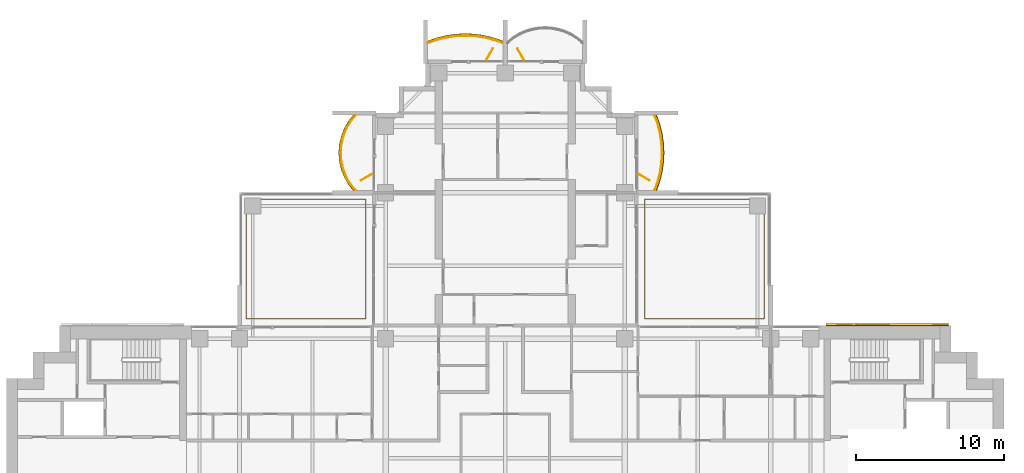
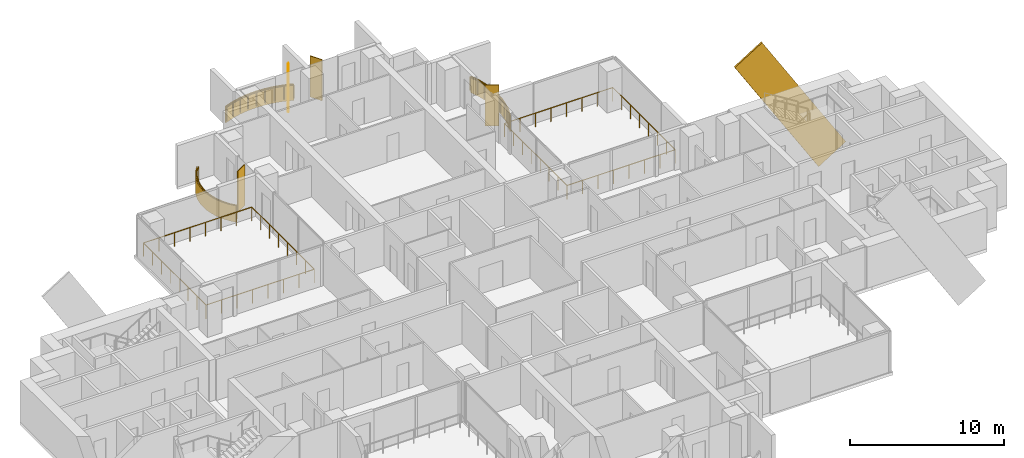
# One storey, part 18 of 19: 5 railings, 4 coverings, 4 shading devices.
"""IFC4 building model written with IfcOpenShell, lengths in metres."""

import ifcopenshell
import ifcopenshell.guid

model = None  # the IFC model being written
_history = None  # IfcOwnerHistory: only IFC2X3 demands one
_inside = {}  # id of a spatial element -> (the spatial element, [elements in it])
_under = {}  # id of a project, library or spatial element -> (it, [spatial elements below it])
_declared = {}  # id of a project -> (the project, [libraries it declares])
_typed = {}  # id of a type object -> (the type object, [elements of that type])
_made_of = {}  # id of a material, layer set ... -> (it, [elements and type objects made of it])


def new_model(schema):
    """Start an empty IFC model of exactly this schema.

    Asked for "IFC4X3", IfcOpenShell would pick the latest addendum, in which some entities
    have other attributes; the version numbers below select the first issue.
    IFC2X3 requires an IfcOwnerHistory on every rooted entity: one is made here for all.
    """
    global model, _history
    if schema == "IFC4X3":
        model = ifcopenshell.file(schema_version=(4, 3, 0, 0))
    else:
        model = ifcopenshell.file(schema=schema)
    _inside.clear()
    _under.clear()
    _declared.clear()
    _typed.clear()
    _made_of.clear()
    _history = None
    if model.schema == "IFC2X3":
        org = make("IfcOrganization", Name="unknown")
        user = make(
            "IfcPersonAndOrganization",
            ThePerson=make("IfcPerson", FamilyName="unknown"),
            TheOrganization=org,
        )
        app = make(
            "IfcApplication",
            ApplicationDeveloper=org,
            Version="unknown",
            ApplicationFullName="unknown",
            ApplicationIdentifier="unknown",
        )
        _history = make(
            "IfcOwnerHistory",
            OwningUser=user,
            OwningApplication=app,
            ChangeAction="ADDED",
            CreationDate=0,
        )
    return model


def make(cls, **values):
    """One entity of the class cls with the attributes given. An attribute that is None is left unset."""
    return model.create_entity(
        cls, **{name: value for name, value in values.items() if value is not None}
    )


def rooted(cls, **values):
    """An entity with a GlobalId (a new one), such as an element, a storey or a relation."""
    return make(cls, GlobalId=ifcopenshell.guid.new(), OwnerHistory=_history, **values)


def si_unit(unit_type, name, prefix=None):
    """IfcSIUnit, for example si_unit("LENGTHUNIT", "METRE", prefix="MILLI")."""
    return make("IfcSIUnit", UnitType=unit_type, Prefix=prefix, Name=name)


def assignment(units):
    """IfcUnitAssignment: the units of a project."""
    return None if units is None else make("IfcUnitAssignment", Units=units)


def point(xyz):
    """IfcCartesianPoint."""
    return None if xyz is None else make("IfcCartesianPoint", Coordinates=xyz)


def direction(xyz):
    """IfcDirection."""
    return None if xyz is None else make("IfcDirection", DirectionRatios=xyz)


def frame(location, z_axis=None, x_axis=None):
    """IfcAxis2Placement3D, a coordinate frame: its origin and axes. An axis left out is left unset."""
    return make(
        "IfcAxis2Placement3D",
        Location=point(location),
        Axis=direction(z_axis),
        RefDirection=direction(x_axis),
    )


def frame_2d(location, x_axis=None):
    """IfcAxis2Placement2D, a coordinate frame in the plane: its origin and x axis."""
    return make(
        "IfcAxis2Placement2D", Location=point(location), RefDirection=direction(x_axis)
    )


def origin():
    """The frame at (0, 0, 0) with its axes left unset."""
    return frame((0.0, 0.0, 0.0))


def origin_2d():
    """The frame at (0, 0) in the plane with its x axis left unset."""
    return frame_2d((0.0, 0.0))


def place(relative_to, where):
    """IfcLocalPlacement: puts the frame where relative to a parent placement (None: the world)."""
    return make(
        "IfcLocalPlacement", PlacementRelTo=relative_to, RelativePlacement=where
    )


def context(
    kind, dimensions, precision=None, world=None, true_north=None, identifier=None
):
    """IfcGeometricRepresentationContext, for example the 3D "Model" context."""
    return make(
        "IfcGeometricRepresentationContext",
        ContextIdentifier=identifier,
        ContextType=kind,
        CoordinateSpaceDimension=dimensions,
        Precision=precision,
        WorldCoordinateSystem=world,
        TrueNorth=true_north,
    )


def subcontext(parent, identifier, kind, view, scale=None):
    """IfcGeometricRepresentationSubContext, for example "Body" below "Model"."""
    return make(
        "IfcGeometricRepresentationSubContext",
        ContextIdentifier=identifier,
        ContextType=kind,
        ParentContext=parent,
        TargetScale=scale,
        TargetView=view,
    )


def project(units=None, contexts=None):
    """IfcProject with its units and contexts."""
    return rooted(
        "IfcProject",
        Name="project",
        RepresentationContexts=contexts,
        UnitsInContext=assignment(units),
    )


def spatial(cls, under=None, at=None, **own):
    """A site, building, storey or space (cls), placed at a placement, below another one or the project."""
    s = rooted(cls, ObjectPlacement=at, **own)
    if under is not None:
        _under.setdefault(under.id(), (under, []))[1].append(s)
    return s


def polyline(points):
    """IfcPolyline through the points."""
    return make("IfcPolyline", Points=[point(p) for p in points])


def profile(cls, at=None, kind="AREA", **sizes):
    """A parametric profile (cls). Its sizes go by their IFC names, for example OverallWidth=200.0."""
    return make(cls, ProfileType=kind, Position=at, **sizes)


def rectangle(**sizes):
    """IfcRectangleProfileDef."""
    return profile("IfcRectangleProfileDef", **sizes)


def outline(outer, holes=None, kind="AREA"):
    """IfcArbitraryClosedProfileDef: a profile drawn as a closed curve; with holes, ...WithVoids."""
    if holes is None:
        return make("IfcArbitraryClosedProfileDef", ProfileType=kind, OuterCurve=outer)
    return make(
        "IfcArbitraryProfileDefWithVoids",
        ProfileType=kind,
        OuterCurve=outer,
        InnerCurves=holes,
    )


def extrude(swept, where, along, depth):
    """IfcExtrudedAreaSolid: the profile swept, set in the frame where, extruded along a direction by depth."""
    return make(
        "IfcExtrudedAreaSolid",
        SweptArea=swept,
        Position=where,
        ExtrudedDirection=direction(along),
        Depth=depth,
    )


def shape(context_of_items, identifier, shape_type, items):
    """IfcShapeRepresentation: the items that make up one representation, for example the "Body"."""
    return make(
        "IfcShapeRepresentation",
        ContextOfItems=context_of_items,
        RepresentationIdentifier=identifier,
        RepresentationType=shape_type,
        Items=items,
    )


def material(Name=None, Category=None):
    """IfcMaterial."""
    return make("IfcMaterial", Name=Name, Category=Category)


def layer(
    of_material, thickness, ventilated=None, Name=None, Category=None, Priority=None
):
    """IfcMaterialLayer: one layer of a wall or slab, of a material (None: an air gap)."""
    return make(
        "IfcMaterialLayer",
        Material=of_material,
        LayerThickness=thickness,
        IsVentilated=ventilated,
        Name=Name,
        Category=Category,
        Priority=Priority,
    )


def layer_set(layers, Name=None):
    """IfcMaterialLayerSet."""
    return make("IfcMaterialLayerSet", MaterialLayers=layers, LayerSetName=Name)


def material_profile(
    of_material, cross_section, Name=None, Category=None, Priority=None
):
    """IfcMaterialProfile: a cross section and its material."""
    return make(
        "IfcMaterialProfile",
        Name=Name,
        Material=of_material,
        Profile=cross_section,
        Priority=Priority,
        Category=Category,
    )


def profile_set(profiles, Name=None, composite=None):
    """IfcMaterialProfileSet."""
    return make(
        "IfcMaterialProfileSet",
        Name=Name,
        MaterialProfiles=profiles,
        CompositeProfile=composite,
    )


def made_of(thing, what):
    """Note that an element or type object is made of a material, layer set ...; save() writes the relation."""
    if what is not None:
        _made_of.setdefault(what.id(), (what, []))[1].append(thing)
    return thing


def type_object(cls, material=None, **own):
    """A type object (cls), such as IfcWallType, which elements share."""
    return made_of(rooted(cls, **own), material)


def element(
    cls,
    number,
    at=None,
    inside=None,
    cuts=None,
    type_object=None,
    material=None,
    context=None,
    identifier="Body",
    shape_type=None,
    held_by="IfcProductDefinitionShape",
    body=None,
    shapes=None,
    **own,
):
    """One element of the class cls, such as IfcWall. Its Tag is "e" and its number.

    at: its placement. inside: the storey or other place that contains it. cuts: it is an
    opening in that element (IfcRelVoidsElement). A single representation is given by context,
    identifier, shape_type and body (its items); several are given by shapes. held_by: the class
    of the entity that holds the representations. save() writes the other relations.
    """
    e = rooted(cls, Tag="e%d" % number, ObjectPlacement=at, **own)
    if body is not None:
        shapes = [shape(context, identifier, shape_type, body)]
    if shapes is not None:
        e.Representation = make(held_by, Representations=shapes)
    if inside is not None:
        _inside.setdefault(inside.id(), (inside, []))[1].append(e)
    if cuts is not None:
        rooted(
            "IfcRelVoidsElement", RelatingBuildingElement=cuts, RelatedOpeningElement=e
        )
    if type_object is not None:
        _typed.setdefault(type_object.id(), (type_object, []))[1].append(e)
    return made_of(e, material)


def aggregate(whole, parts):
    """IfcRelAggregates: a whole, such as a stair, and the parts it consists of."""
    return rooted("IfcRelAggregates", RelatingObject=whole, RelatedObjects=parts)


def save(model, path):
    """Write the relations noted so far, then the file.

    IfcRelAggregates (storeys below a building ...), IfcRelContainedInSpatialStructure (elements
    in a storey), IfcRelDefinesByType, IfcRelAssociatesMaterial and IfcRelDeclares: one each for
    every whole, place, type object, material and project.
    """
    for whole, parts in _under.values():
        aggregate(whole, parts)
    for where, things in _inside.values():
        rooted(
            "IfcRelContainedInSpatialStructure",
            RelatedElements=things,
            RelatingStructure=where,
        )
    for kind, things in _typed.values():
        rooted("IfcRelDefinesByType", RelatedObjects=things, RelatingType=kind)
    for what, things in _made_of.values():
        rooted("IfcRelAssociatesMaterial", RelatedObjects=things, RelatingMaterial=what)
    for by, libraries in _declared.values():
        rooted("IfcRelDeclares", RelatingContext=by, RelatedDefinitions=libraries)
    model.write(path)


model = new_model("IFC4")

# Units and contexts
model_context = context("Model", 3, precision=1e-05, world=origin(), true_north=direction((0.0, 1.0)))
body_context = subcontext(model_context, "Body", "Model", "MODEL_VIEW")
ifc_project = project(units=[si_unit("LENGTHUNIT", "METRE"), si_unit("AREAUNIT", "SQUARE_METRE"), si_unit("VOLUMEUNIT", "CUBIC_METRE"), si_unit("PLANEANGLEUNIT", "RADIAN"), si_unit("MASSUNIT", "GRAM", prefix="KILO")], contexts=[model_context])

# Site, building, storey
site_placement = place(None, origin())
site = spatial("IfcSite", under=ifc_project, at=site_placement, CompositionType="ELEMENT")
building_placement = place(site_placement, origin())
building = spatial("IfcBuilding", under=site, at=building_placement, Name="Perihelion Cross Residences", CompositionType="ELEMENT")
storey_placement = place(building_placement, frame((0.0, 0.0, 126.89990234375)))
storey = spatial("IfcBuildingStorey", under=building, at=storey_placement, Name="L30", CompositionType="ELEMENT", Elevation=126.89990234375)

# Coverings
ifc_material_1 = material(Name="Bronze anodised aluminium", Category="aluminium")
ifc_layer_1 = layer(ifc_material_1, 0.070068359375)
ifc_layer_set_1 = layer_set([ifc_layer_1], Name="Balcony fascia 1300")
covering_type_1 = type_object("IfcCoveringType", Name="Balcony fascia 1300", PredefinedType="CLADDING", material=ifc_layer_set_1)
covering_1_placement = place(storey_placement, frame((0.0, 0.0, -0.199951171875)))
element("IfcCovering", 1, at=covering_1_placement, inside=storey, type_object=covering_type_1, Name="Fascia BF1 L30 north side east bay 2", PredefinedType="CLADDING", context=body_context, shape_type="SweptSolid", body=[
    extrude(outline(polyline([(10.49072265625, 18.767578125), (10.647216796875, 19.411865234375), (10.739501953125, 20.055908203125), (10.77001953125, 20.699951171875), (10.739501953125, 21.34423828125), (10.647216796875, 21.98828125), (10.49072265625, 22.63232421875), (10.274169921875, 23.25), (10.199951171875, 23.25), (10.423583984375, 22.612548828125), (10.57861328125, 21.97509765625), (10.669921875, 21.33740234375), (10.699951171875, 20.699951171875), (10.669921875, 20.0625), (10.57861328125, 19.425048828125), (10.423583984375, 18.78759765625), (10.199951171875, 18.14990234375), (10.274169921875, 18.14990234375), (10.49072265625, 18.767578125)])), origin(), (0.0, 0.0, 1.0), 1.300048828125),
])
covering_2_placement = place(storey_placement, frame((0.0, 0.0, -0.199951171875)))
element("IfcCovering", 2, at=covering_2_placement, inside=storey, type_object=covering_type_1, Name="Fascia BF1 L30 north tip north bay 2", PredefinedType="CLADDING", context=body_context, shape_type="SweptSolid", body=[
    extrude(outline(polyline([(-0.767578125, 28.49072265625), (-1.411865234375, 28.647216796875), (-2.055908203125, 28.739501953125), (-2.699951171875, 28.77001953125), (-3.34423828125, 28.739501953125), (-3.98828125, 28.647216796875), (-4.63232421875, 28.49072265625), (-5.25, 28.274169921875), (-5.25, 28.199951171875), (-4.612548828125, 28.423583984375), (-3.97509765625, 28.57861328125), (-3.33740234375, 28.669921875), (-2.699951171875, 28.699951171875), (-2.0625, 28.669921875), (-1.425048828125, 28.57861328125), (-0.78759765625, 28.423583984375), (-0.14990234375, 28.199951171875), (-0.14990234375, 28.274169921875), (-0.767578125, 28.49072265625)])), origin(), (0.0, 0.0, 1.0), 1.300048828125),
])
covering_3_placement = place(storey_placement, frame((0.0, 0.0, -0.199951171875)))
element("IfcCovering", 3, at=covering_3_placement, inside=storey, type_object=covering_type_1, Name="Fascia BF1 L30 north side west bay 1", PredefinedType="CLADDING", context=body_context, shape_type="SweptSolid", body=[
    extrude(outline(polyline([(-10.59765625, 22.86474609375), (-10.85498046875, 22.431884765625), (-11.04248046875, 21.998779296875), (-11.170654296875, 21.56591796875), (-11.245361328125, 21.133056640625), (-11.27001953125, 20.699951171875), (-11.245361328125, 20.26708984375), (-11.170654296875, 19.833984375), (-11.04248046875, 19.401123046875), (-10.85498046875, 18.96826171875), (-10.59765625, 18.53515625), (-10.28955078125, 18.14990234375), (-10.199951171875, 18.14990234375), (-10.5400390625, 18.574951171875), (-10.792724609375, 19.0), (-10.9765625, 19.425048828125), (-11.1025390625, 19.85009765625), (-11.17578125, 20.27490234375), (-11.199951171875, 20.699951171875), (-11.17578125, 21.125), (-11.1025390625, 21.550048828125), (-10.9765625, 21.97509765625), (-10.792724609375, 22.39990234375), (-10.5400390625, 22.824951171875), (-10.199951171875, 23.25), (-10.28955078125, 23.25), (-10.59765625, 22.86474609375)])), origin(), (0.0, 0.0, 1.0), 1.300048828125),
])

# Railings
ifc_material_2 = material(Name="Bronze anodised aluminium", Category="aluminium")
railing_type = type_object("IfcRailingType", Name="Balcony guard 1100", PredefinedType="GUARDRAIL", material=ifc_material_2)
railing_1_placement = place(storey_placement, frame((10.139892578125, 18.175048828125, 0.0)))
element("IfcRailing", 4, at=railing_1_placement, inside=storey, type_object=railing_type, Name="Guard GU1 L30 north side east bay 2 balcony", PredefinedType="GUARDRAIL", context=body_context, shape_type="SweptSolid", body=[
    extrude(rectangle(XDim=0.048095703125, YDim=0.048095703125, at=origin_2d()), frame((0.0, 0.0, 1.076171875), z_axis=(0.342945217749, 0.939355405384, 0.0), x_axis=(-0.939355405384, 0.342945217749, 0.0)), (0.0, 0.0, 1.0), 0.652099609375),
    extrude(rectangle(XDim=0.048095703125, YDim=0.048095703125, at=origin_2d()), frame((0.2236328125, 0.612548828125, 1.076171875), z_axis=(0.236313594268, 0.971676841941, 0.0), x_axis=(-0.971676841941, 0.236313594268, 0.0)), (0.0, 0.0, 1.0), 0.656005859375),
    extrude(rectangle(XDim=0.048095703125, YDim=0.048095703125, at=origin_2d()), frame((0.378662109375, 1.25, 1.076171875), z_axis=(0.141792889142, 0.989896346386, 0.0), x_axis=(-0.989896346386, 0.141792889142, 0.0)), (0.0, 0.0, 1.0), 0.64404296875),
    extrude(rectangle(XDim=0.048095703125, YDim=0.048095703125, at=origin_2d()), frame((0.469970703125, 1.887451171875, 1.076171875), z_axis=(0.04705620296, 0.998892243319, 0.0), x_axis=(-0.998892243319, 0.04705620296, 0.0)), (0.0, 0.0, 1.0), 0.63818359375),
    extrude(rectangle(XDim=0.048095703125, YDim=0.048095703125, at=origin_2d()), frame((0.5, 2.52490234375, 1.076171875), z_axis=(-0.04705620296, 0.998892243319, 0.0), x_axis=(-0.998892243319, -0.04705620296, 0.0)), (0.0, 0.0, 1.0), 0.63818359375),
    extrude(rectangle(XDim=0.048095703125, YDim=0.048095703125, at=origin_2d()), frame((0.469970703125, 3.162353515625, 1.076171875), z_axis=(-0.141739694763, 0.989903964498, 0.0), x_axis=(-0.989903964498, -0.141739694763, 0.0)), (0.0, 0.0, 1.0), 0.644287109375),
    extrude(rectangle(XDim=0.048095703125, YDim=0.048095703125, at=origin_2d()), frame((0.378662109375, 3.800048828125, 1.076171875), z_axis=(-0.236313594268, 0.971676841941, 0.0), x_axis=(-0.971676841941, -0.236313594268, 0.0)), (0.0, 0.0, 1.0), 0.656005859375),
    extrude(rectangle(XDim=0.048095703125, YDim=0.048095703125, at=origin_2d()), frame((0.2236328125, 4.4375, 1.076171875), z_axis=(-0.342945217749, 0.939355405384, 0.0), x_axis=(-0.939355405384, -0.342945217749, 0.0)), (0.0, 0.0, 1.0), 0.652099609375),
    extrude(rectangle(XDim=0.0419921875, YDim=0.0419921875, at=origin_2d()), origin(), (0.0, 0.0, 1.0), 1.052001953125),
    extrude(rectangle(XDim=0.0419921875, YDim=0.0419921875, at=origin_2d()), frame((0.2236328125, 0.612548828125, 0.0)), (0.0, 0.0, 1.0), 1.052001953125),
    extrude(rectangle(XDim=0.0419921875, YDim=0.0419921875, at=origin_2d()), frame((0.378662109375, 1.25, 0.0)), (0.0, 0.0, 1.0), 1.052001953125),
    extrude(rectangle(XDim=0.0419921875, YDim=0.0419921875, at=origin_2d()), frame((0.469970703125, 1.887451171875, 0.0)), (0.0, 0.0, 1.0), 1.052001953125),
    extrude(rectangle(XDim=0.0419921875, YDim=0.0419921875, at=origin_2d()), frame((0.5, 2.52490234375, 0.0)), (0.0, 0.0, 1.0), 1.052001953125),
    extrude(rectangle(XDim=0.0419921875, YDim=0.0419921875, at=origin_2d()), frame((0.469970703125, 3.162353515625, 0.0)), (0.0, 0.0, 1.0), 1.052001953125),
    extrude(rectangle(XDim=0.0419921875, YDim=0.0419921875, at=origin_2d()), frame((0.378662109375, 3.800048828125, 0.0)), (0.0, 0.0, 1.0), 1.052001953125),
    extrude(rectangle(XDim=0.0419921875, YDim=0.0419921875, at=origin_2d()), frame((0.2236328125, 4.4375, 0.0)), (0.0, 0.0, 1.0), 1.052001953125),
    extrude(rectangle(XDim=0.0419921875, YDim=0.0419921875, at=origin_2d()), frame((0.0, 5.050048828125, 0.0)), (0.0, 0.0, 1.0), 1.052001953125),
])
railing_2_placement = place(storey_placement, frame((-0.175048828125, 28.139892578125, 0.0)))
element("IfcRailing", 5, at=railing_2_placement, inside=storey, type_object=railing_type, Name="Guard GU1 L30 north tip north bay 2 balcony", PredefinedType="GUARDRAIL", context=body_context, shape_type="SweptSolid", body=[
    extrude(rectangle(XDim=0.048095703125, YDim=0.048095703125, at=origin_2d()), frame((0.0, 0.0, 1.076171875), z_axis=(-0.939355405384, 0.342945217749, 0.0), x_axis=(-0.342945217749, -0.939355405384, 0.0)), (0.0, 0.0, 1.0), 0.652099609375),
    extrude(rectangle(XDim=0.048095703125, YDim=0.048095703125, at=origin_2d()), frame((-0.612548828125, 0.2236328125, 1.076171875), z_axis=(-0.971676841941, 0.236313594268, 0.0), x_axis=(-0.236313594268, -0.971676841941, 0.0)), (0.0, 0.0, 1.0), 0.656005859375),
    extrude(rectangle(XDim=0.048095703125, YDim=0.048095703125, at=origin_2d()), frame((-1.25, 0.378662109375, 1.076171875), z_axis=(-0.989896346386, 0.141792889142, 0.0), x_axis=(-0.141792889142, -0.989896346386, 0.0)), (0.0, 0.0, 1.0), 0.64404296875),
    extrude(rectangle(XDim=0.048095703125, YDim=0.048095703125, at=origin_2d()), frame((-1.887451171875, 0.469970703125, 1.076171875), z_axis=(-0.998892243319, 0.04705620296, 0.0), x_axis=(-0.04705620296, -0.998892243319, 0.0)), (0.0, 0.0, 1.0), 0.63818359375),
    extrude(rectangle(XDim=0.048095703125, YDim=0.048095703125, at=origin_2d()), frame((-2.52490234375, 0.5, 1.076171875), z_axis=(-0.998892243319, -0.04705620296, 0.0), x_axis=(0.04705620296, -0.998892243319, 0.0)), (0.0, 0.0, 1.0), 0.63818359375),
    extrude(rectangle(XDim=0.048095703125, YDim=0.048095703125, at=origin_2d()), frame((-3.162353515625, 0.469970703125, 1.076171875), z_axis=(-0.989903964498, -0.141739694763, 0.0), x_axis=(0.141739694763, -0.989903964498, 0.0)), (0.0, 0.0, 1.0), 0.644287109375),
    extrude(rectangle(XDim=0.048095703125, YDim=0.048095703125, at=origin_2d()), frame((-3.800048828125, 0.378662109375, 1.076171875), z_axis=(-0.971676841941, -0.236313594268, 0.0), x_axis=(0.236313594268, -0.971676841941, 0.0)), (0.0, 0.0, 1.0), 0.656005859375),
    extrude(rectangle(XDim=0.048095703125, YDim=0.048095703125, at=origin_2d()), frame((-4.4375, 0.2236328125, 1.076171875), z_axis=(-0.939355405384, -0.342945217749, 0.0), x_axis=(0.342945217749, -0.939355405384, 0.0)), (0.0, 0.0, 1.0), 0.652099609375),
    extrude(rectangle(XDim=0.0419921875, YDim=0.0419921875, at=origin_2d()), origin(), (0.0, 0.0, 1.0), 1.052001953125),
    extrude(rectangle(XDim=0.0419921875, YDim=0.0419921875, at=origin_2d()), frame((-0.612548828125, 0.2236328125, 0.0)), (0.0, 0.0, 1.0), 1.052001953125),
    extrude(rectangle(XDim=0.0419921875, YDim=0.0419921875, at=origin_2d()), frame((-1.25, 0.378662109375, 0.0)), (0.0, 0.0, 1.0), 1.052001953125),
    extrude(rectangle(XDim=0.0419921875, YDim=0.0419921875, at=origin_2d()), frame((-1.887451171875, 0.469970703125, 0.0)), (0.0, 0.0, 1.0), 1.052001953125),
    extrude(rectangle(XDim=0.0419921875, YDim=0.0419921875, at=origin_2d()), frame((-2.52490234375, 0.5, 0.0)), (0.0, 0.0, 1.0), 1.052001953125),
    extrude(rectangle(XDim=0.0419921875, YDim=0.0419921875, at=origin_2d()), frame((-3.162353515625, 0.469970703125, 0.0)), (0.0, 0.0, 1.0), 1.052001953125),
    extrude(rectangle(XDim=0.0419921875, YDim=0.0419921875, at=origin_2d()), frame((-3.800048828125, 0.378662109375, 0.0)), (0.0, 0.0, 1.0), 1.052001953125),
    extrude(rectangle(XDim=0.0419921875, YDim=0.0419921875, at=origin_2d()), frame((-4.4375, 0.2236328125, 0.0)), (0.0, 0.0, 1.0), 1.052001953125),
    extrude(rectangle(XDim=0.0419921875, YDim=0.0419921875, at=origin_2d()), frame((-5.050048828125, 0.0, 0.0)), (0.0, 0.0, 1.0), 1.052001953125),
])
railing_3_placement = place(storey_placement, frame((-10.139892578125, 23.22509765625, 0.0)))
element("IfcRailing", 6, at=railing_3_placement, inside=storey, type_object=railing_type, Name="Guard GU1 L30 north side west bay 1 balcony", PredefinedType="GUARDRAIL", context=body_context, shape_type="SweptSolid", body=[
    extrude(rectangle(XDim=0.048095703125, YDim=0.048095703125, at=origin_2d()), frame((0.0, 0.0, 1.076171875), z_axis=(-0.647607934281, -0.761973728849, 0.0), x_axis=(0.761973728849, -0.647607934281, 0.0)), (0.0, 0.0, 1.0), 0.525146484375),
    extrude(rectangle(XDim=0.048095703125, YDim=0.048095703125, at=origin_2d()), frame((-0.340087890625, -0.400146484375, 1.076171875), z_axis=(-0.511006381501, -0.859576918062, 0.0), x_axis=(0.859576918062, -0.511006381501, 0.0)), (0.0, 0.0, 1.0), 0.494384765625),
    extrude(rectangle(XDim=0.048095703125, YDim=0.048095703125, at=origin_2d()), frame((-0.5927734375, -0.8251953125, 1.076171875), z_axis=(-0.397607437634, -0.91755562531, 0.0), x_axis=(0.91755562531, -0.397607437634, 0.0)), (0.0, 0.0, 1.0), 0.462890625),
    extrude(rectangle(XDim=0.048095703125, YDim=0.048095703125, at=origin_2d()), frame((-0.77685546875, -1.25, 1.076171875), z_axis=(-0.283656975924, -0.958925815697, 0.0), x_axis=(0.958925815697, -0.283656975924, 0.0)), (0.0, 0.0, 1.0), 0.443359375),
    extrude(rectangle(XDim=0.048095703125, YDim=0.048095703125, at=origin_2d()), frame((-0.902587890625, -1.675048828125, 1.076171875), z_axis=(-0.17036177859, -0.985381583142, 0.0), x_axis=(0.985381583142, -0.17036177859, 0.0)), (0.0, 0.0, 1.0), 0.431396484375),
    extrude(rectangle(XDim=0.048095703125, YDim=0.048095703125, at=origin_2d()), frame((-0.97607421875, -2.10009765625, 1.076171875), z_axis=(-0.056200523353, -0.9984195016, 0.0), x_axis=(0.9984195016, -0.056200523353, 0.0)), (0.0, 0.0, 1.0), 0.42578125),
    extrude(rectangle(XDim=0.048095703125, YDim=0.048095703125, at=origin_2d()), frame((-1.0, -2.525146484375, 1.076171875), z_axis=(0.056200523353, -0.9984195016, 0.0), x_axis=(0.9984195016, 0.056200523353, 0.0)), (0.0, 0.0, 1.0), 0.42578125),
    extrude(rectangle(XDim=0.048095703125, YDim=0.048095703125, at=origin_2d()), frame((-0.97607421875, -2.9501953125, 1.076171875), z_axis=(0.170456843651, -0.985365142702, 0.0), x_axis=(0.985365142702, 0.170456843651, 0.0)), (0.0, 0.0, 1.0), 0.43115234375),
    extrude(rectangle(XDim=0.048095703125, YDim=0.048095703125, at=origin_2d()), frame((-0.902587890625, -3.375, 1.076171875), z_axis=(0.283656975924, -0.958925815697, 0.0), x_axis=(0.958925815697, 0.283656975924, 0.0)), (0.0, 0.0, 1.0), 0.443359375),
    extrude(rectangle(XDim=0.048095703125, YDim=0.048095703125, at=origin_2d()), frame((-0.77685546875, -3.800048828125, 1.076171875), z_axis=(0.397415137459, -0.917638931453, 0.0), x_axis=(0.917638931453, 0.397415137459, 0.0)), (0.0, 0.0, 1.0), 0.463134765625),
    extrude(rectangle(XDim=0.048095703125, YDim=0.048095703125, at=origin_2d()), frame((-0.5927734375, -4.22509765625, 1.076171875), z_axis=(0.511006381501, -0.859576918062, 0.0), x_axis=(0.859576918062, 0.511006381501, 0.0)), (0.0, 0.0, 1.0), 0.494384765625),
    extrude(rectangle(XDim=0.048095703125, YDim=0.048095703125, at=origin_2d()), frame((-0.340087890625, -4.650146484375, 1.076171875), z_axis=(0.647837396648, -0.761778647315, 0.0), x_axis=(0.761778647315, 0.647837396648, 0.0)), (0.0, 0.0, 1.0), 0.52490234375),
    extrude(rectangle(XDim=0.0419921875, YDim=0.0419921875, at=origin_2d()), origin(), (0.0, 0.0, 1.0), 1.052001953125),
    extrude(rectangle(XDim=0.0419921875, YDim=0.0419921875, at=origin_2d()), frame((-0.340087890625, -0.400146484375, 0.0)), (0.0, 0.0, 1.0), 1.052001953125),
    extrude(rectangle(XDim=0.0419921875, YDim=0.0419921875, at=origin_2d()), frame((-0.5927734375, -0.8251953125, 0.0)), (0.0, 0.0, 1.0), 1.052001953125),
    extrude(rectangle(XDim=0.0419921875, YDim=0.0419921875, at=origin_2d()), frame((-0.77685546875, -1.25, 0.0)), (0.0, 0.0, 1.0), 1.052001953125),
    extrude(rectangle(XDim=0.0419921875, YDim=0.0419921875, at=origin_2d()), frame((-0.902587890625, -1.675048828125, 0.0)), (0.0, 0.0, 1.0), 1.052001953125),
    extrude(rectangle(XDim=0.0419921875, YDim=0.0419921875, at=origin_2d()), frame((-0.97607421875, -2.10009765625, 0.0)), (0.0, 0.0, 1.0), 1.052001953125),
    extrude(rectangle(XDim=0.0419921875, YDim=0.0419921875, at=origin_2d()), frame((-1.0, -2.525146484375, 0.0)), (0.0, 0.0, 1.0), 1.052001953125),
    extrude(rectangle(XDim=0.0419921875, YDim=0.0419921875, at=origin_2d()), frame((-0.97607421875, -2.9501953125, 0.0)), (0.0, 0.0, 1.0), 1.052001953125),
    extrude(rectangle(XDim=0.0419921875, YDim=0.0419921875, at=origin_2d()), frame((-0.902587890625, -3.375, 0.0)), (0.0, 0.0, 1.0), 1.052001953125),
    extrude(rectangle(XDim=0.0419921875, YDim=0.0419921875, at=origin_2d()), frame((-0.77685546875, -3.800048828125, 0.0)), (0.0, 0.0, 1.0), 1.052001953125),
    extrude(rectangle(XDim=0.0419921875, YDim=0.0419921875, at=origin_2d()), frame((-0.5927734375, -4.22509765625, 0.0)), (0.0, 0.0, 1.0), 1.052001953125),
    extrude(rectangle(XDim=0.0419921875, YDim=0.0419921875, at=origin_2d()), frame((-0.340087890625, -4.650146484375, 0.0)), (0.0, 0.0, 1.0), 1.052001953125),
    extrude(rectangle(XDim=0.0419921875, YDim=0.0419921875, at=origin_2d()), frame((0.0, -5.050048828125, 0.0)), (0.0, 0.0, 1.0), 1.052001953125),
])
railing_4_placement = place(storey_placement, frame((17.550048828125, 9.449951171875, 0.0)))
element("IfcRailing", 7, at=railing_4_placement, inside=storey, type_object=railing_type, Name="Guard GU1 L30 pocket north-east 1", PredefinedType="GUARDRAIL", context=body_context, shape_type="SweptSolid", body=[
    extrude(rectangle(XDim=0.048095703125, YDim=0.048095703125, at=origin_2d()), frame((0.0, 0.0, 1.076171875), z_axis=(-1.0, 0.0, 0.0), x_axis=(0.0, -1.0, 0.0)), (0.0, 0.0, 1.0), 8.10009765625),
    extrude(rectangle(XDim=0.048095703125, YDim=0.048095703125, at=origin_2d()), frame((-8.10009765625, 0.0, 1.076171875), z_axis=(0.0, 1.0, 0.0), x_axis=(-1.0, 0.0, 0.0)), (0.0, 0.0, 1.0), 8.10009765625),
    extrude(rectangle(XDim=0.048095703125, YDim=0.048095703125, at=origin_2d()), frame((-8.10009765625, 8.10009765625, 1.076171875), z_axis=(1.0, 0.0, 0.0), x_axis=(0.0, 1.0, 0.0)), (0.0, 0.0, 1.0), 8.10009765625),
    extrude(rectangle(XDim=0.048095703125, YDim=0.048095703125, at=origin_2d()), frame((0.0, 8.10009765625, 1.076171875), z_axis=(0.0, -1.0, 0.0), x_axis=(1.0, 0.0, 0.0)), (0.0, 0.0, 1.0), 8.10009765625),
    extrude(rectangle(XDim=0.0419921875, YDim=0.0419921875, at=origin_2d()), origin(), (0.0, 0.0, 1.0), 1.052001953125),
    extrude(rectangle(XDim=0.0419921875, YDim=0.0419921875, at=origin_2d()), frame((-1.1572265625, 0.0, 0.0)), (0.0, 0.0, 1.0), 1.052001953125),
    extrude(rectangle(XDim=0.0419921875, YDim=0.0419921875, at=origin_2d()), frame((-2.314208984375, 0.0, 0.0)), (0.0, 0.0, 1.0), 1.052001953125),
    extrude(rectangle(XDim=0.0419921875, YDim=0.0419921875, at=origin_2d()), frame((-3.471435546875, 0.0, 0.0)), (0.0, 0.0, 1.0), 1.052001953125),
    extrude(rectangle(XDim=0.0419921875, YDim=0.0419921875, at=origin_2d()), frame((-4.628662109375, 0.0, 0.0)), (0.0, 0.0, 1.0), 1.052001953125),
    extrude(rectangle(XDim=0.0419921875, YDim=0.0419921875, at=origin_2d()), frame((-5.785888671875, 0.0, 0.0)), (0.0, 0.0, 1.0), 1.052001953125),
    extrude(rectangle(XDim=0.0419921875, YDim=0.0419921875, at=origin_2d()), frame((-6.94287109375, 0.0, 0.0)), (0.0, 0.0, 1.0), 1.052001953125),
    extrude(rectangle(XDim=0.0419921875, YDim=0.0419921875, at=origin_2d()), frame((-8.10009765625, 0.0, 0.0)), (0.0, 0.0, 1.0), 1.052001953125),
    extrude(rectangle(XDim=0.0419921875, YDim=0.0419921875, at=origin_2d()), frame((-8.10009765625, 1.1572265625, 0.0)), (0.0, 0.0, 1.0), 1.052001953125),
    extrude(rectangle(XDim=0.0419921875, YDim=0.0419921875, at=origin_2d()), frame((-8.10009765625, 2.314208984375, 0.0)), (0.0, 0.0, 1.0), 1.052001953125),
    extrude(rectangle(XDim=0.0419921875, YDim=0.0419921875, at=origin_2d()), frame((-8.10009765625, 3.471435546875, 0.0)), (0.0, 0.0, 1.0), 1.052001953125),
    extrude(rectangle(XDim=0.0419921875, YDim=0.0419921875, at=origin_2d()), frame((-8.10009765625, 4.628662109375, 0.0)), (0.0, 0.0, 1.0), 1.052001953125),
    extrude(rectangle(XDim=0.0419921875, YDim=0.0419921875, at=origin_2d()), frame((-8.10009765625, 5.785888671875, 0.0)), (0.0, 0.0, 1.0), 1.052001953125),
    extrude(rectangle(XDim=0.0419921875, YDim=0.0419921875, at=origin_2d()), frame((-8.10009765625, 6.94287109375, 0.0)), (0.0, 0.0, 1.0), 1.052001953125),
    extrude(rectangle(XDim=0.0419921875, YDim=0.0419921875, at=origin_2d()), frame((-8.10009765625, 8.10009765625, 0.0)), (0.0, 0.0, 1.0), 1.052001953125),
    extrude(rectangle(XDim=0.0419921875, YDim=0.0419921875, at=origin_2d()), frame((-6.94287109375, 8.10009765625, 0.0)), (0.0, 0.0, 1.0), 1.052001953125),
    extrude(rectangle(XDim=0.0419921875, YDim=0.0419921875, at=origin_2d()), frame((-5.785888671875, 8.10009765625, 0.0)), (0.0, 0.0, 1.0), 1.052001953125),
    extrude(rectangle(XDim=0.0419921875, YDim=0.0419921875, at=origin_2d()), frame((-4.628662109375, 8.10009765625, 0.0)), (0.0, 0.0, 1.0), 1.052001953125),
    extrude(rectangle(XDim=0.0419921875, YDim=0.0419921875, at=origin_2d()), frame((-3.471435546875, 8.10009765625, 0.0)), (0.0, 0.0, 1.0), 1.052001953125),
    extrude(rectangle(XDim=0.0419921875, YDim=0.0419921875, at=origin_2d()), frame((-2.314208984375, 8.10009765625, 0.0)), (0.0, 0.0, 1.0), 1.052001953125),
    extrude(rectangle(XDim=0.0419921875, YDim=0.0419921875, at=origin_2d()), frame((-1.1572265625, 8.10009765625, 0.0)), (0.0, 0.0, 1.0), 1.052001953125),
    extrude(rectangle(XDim=0.0419921875, YDim=0.0419921875, at=origin_2d()), frame((0.0, 8.10009765625, 0.0)), (0.0, 0.0, 1.0), 1.052001953125),
    extrude(rectangle(XDim=0.0419921875, YDim=0.0419921875, at=origin_2d()), frame((0.0, 6.94287109375, 0.0)), (0.0, 0.0, 1.0), 1.052001953125),
    extrude(rectangle(XDim=0.0419921875, YDim=0.0419921875, at=origin_2d()), frame((0.0, 5.785888671875, 0.0)), (0.0, 0.0, 1.0), 1.052001953125),
    extrude(rectangle(XDim=0.0419921875, YDim=0.0419921875, at=origin_2d()), frame((0.0, 4.628662109375, 0.0)), (0.0, 0.0, 1.0), 1.052001953125),
    extrude(rectangle(XDim=0.0419921875, YDim=0.0419921875, at=origin_2d()), frame((0.0, 3.471435546875, 0.0)), (0.0, 0.0, 1.0), 1.052001953125),
    extrude(rectangle(XDim=0.0419921875, YDim=0.0419921875, at=origin_2d()), frame((0.0, 2.314208984375, 0.0)), (0.0, 0.0, 1.0), 1.052001953125),
    extrude(rectangle(XDim=0.0419921875, YDim=0.0419921875, at=origin_2d()), frame((0.0, 1.1572265625, 0.0)), (0.0, 0.0, 1.0), 1.052001953125),
])
railing_5_placement = place(storey_placement, frame((-9.449951171875, 9.449951171875, 0.0)))
element("IfcRailing", 8, at=railing_5_placement, inside=storey, type_object=railing_type, Name="Guard GU1 L30 pocket north-west 1", PredefinedType="GUARDRAIL", context=body_context, shape_type="SweptSolid", body=[
    extrude(rectangle(XDim=0.048095703125, YDim=0.048095703125, at=origin_2d()), frame((0.0, 0.0, 1.076171875), z_axis=(-1.0, 0.0, 0.0), x_axis=(0.0, -1.0, 0.0)), (0.0, 0.0, 1.0), 8.10009765625),
    extrude(rectangle(XDim=0.048095703125, YDim=0.048095703125, at=origin_2d()), frame((-8.10009765625, 0.0, 1.076171875), z_axis=(0.0, 1.0, 0.0), x_axis=(-1.0, 0.0, 0.0)), (0.0, 0.0, 1.0), 8.10009765625),
    extrude(rectangle(XDim=0.048095703125, YDim=0.048095703125, at=origin_2d()), frame((-8.10009765625, 8.10009765625, 1.076171875), z_axis=(1.0, 0.0, 0.0), x_axis=(0.0, 1.0, 0.0)), (0.0, 0.0, 1.0), 8.10009765625),
    extrude(rectangle(XDim=0.048095703125, YDim=0.048095703125, at=origin_2d()), frame((0.0, 8.10009765625, 1.076171875), z_axis=(0.0, -1.0, 0.0), x_axis=(1.0, 0.0, 0.0)), (0.0, 0.0, 1.0), 8.10009765625),
    extrude(rectangle(XDim=0.0419921875, YDim=0.0419921875, at=origin_2d()), origin(), (0.0, 0.0, 1.0), 1.052001953125),
    extrude(rectangle(XDim=0.0419921875, YDim=0.0419921875, at=origin_2d()), frame((-1.1572265625, 0.0, 0.0)), (0.0, 0.0, 1.0), 1.052001953125),
    extrude(rectangle(XDim=0.0419921875, YDim=0.0419921875, at=origin_2d()), frame((-2.314208984375, 0.0, 0.0)), (0.0, 0.0, 1.0), 1.052001953125),
    extrude(rectangle(XDim=0.0419921875, YDim=0.0419921875, at=origin_2d()), frame((-3.471435546875, 0.0, 0.0)), (0.0, 0.0, 1.0), 1.052001953125),
    extrude(rectangle(XDim=0.0419921875, YDim=0.0419921875, at=origin_2d()), frame((-4.628662109375, 0.0, 0.0)), (0.0, 0.0, 1.0), 1.052001953125),
    extrude(rectangle(XDim=0.0419921875, YDim=0.0419921875, at=origin_2d()), frame((-5.785888671875, 0.0, 0.0)), (0.0, 0.0, 1.0), 1.052001953125),
    extrude(rectangle(XDim=0.0419921875, YDim=0.0419921875, at=origin_2d()), frame((-6.94287109375, 0.0, 0.0)), (0.0, 0.0, 1.0), 1.052001953125),
    extrude(rectangle(XDim=0.0419921875, YDim=0.0419921875, at=origin_2d()), frame((-8.10009765625, 0.0, 0.0)), (0.0, 0.0, 1.0), 1.052001953125),
    extrude(rectangle(XDim=0.0419921875, YDim=0.0419921875, at=origin_2d()), frame((-8.10009765625, 1.1572265625, 0.0)), (0.0, 0.0, 1.0), 1.052001953125),
    extrude(rectangle(XDim=0.0419921875, YDim=0.0419921875, at=origin_2d()), frame((-8.10009765625, 2.314208984375, 0.0)), (0.0, 0.0, 1.0), 1.052001953125),
    extrude(rectangle(XDim=0.0419921875, YDim=0.0419921875, at=origin_2d()), frame((-8.10009765625, 3.471435546875, 0.0)), (0.0, 0.0, 1.0), 1.052001953125),
    extrude(rectangle(XDim=0.0419921875, YDim=0.0419921875, at=origin_2d()), frame((-8.10009765625, 4.628662109375, 0.0)), (0.0, 0.0, 1.0), 1.052001953125),
    extrude(rectangle(XDim=0.0419921875, YDim=0.0419921875, at=origin_2d()), frame((-8.10009765625, 5.785888671875, 0.0)), (0.0, 0.0, 1.0), 1.052001953125),
    extrude(rectangle(XDim=0.0419921875, YDim=0.0419921875, at=origin_2d()), frame((-8.10009765625, 6.94287109375, 0.0)), (0.0, 0.0, 1.0), 1.052001953125),
    extrude(rectangle(XDim=0.0419921875, YDim=0.0419921875, at=origin_2d()), frame((-8.10009765625, 8.10009765625, 0.0)), (0.0, 0.0, 1.0), 1.052001953125),
    extrude(rectangle(XDim=0.0419921875, YDim=0.0419921875, at=origin_2d()), frame((-6.94287109375, 8.10009765625, 0.0)), (0.0, 0.0, 1.0), 1.052001953125),
    extrude(rectangle(XDim=0.0419921875, YDim=0.0419921875, at=origin_2d()), frame((-5.785888671875, 8.10009765625, 0.0)), (0.0, 0.0, 1.0), 1.052001953125),
    extrude(rectangle(XDim=0.0419921875, YDim=0.0419921875, at=origin_2d()), frame((-4.628662109375, 8.10009765625, 0.0)), (0.0, 0.0, 1.0), 1.052001953125),
    extrude(rectangle(XDim=0.0419921875, YDim=0.0419921875, at=origin_2d()), frame((-3.471435546875, 8.10009765625, 0.0)), (0.0, 0.0, 1.0), 1.052001953125),
    extrude(rectangle(XDim=0.0419921875, YDim=0.0419921875, at=origin_2d()), frame((-2.314208984375, 8.10009765625, 0.0)), (0.0, 0.0, 1.0), 1.052001953125),
    extrude(rectangle(XDim=0.0419921875, YDim=0.0419921875, at=origin_2d()), frame((-1.1572265625, 8.10009765625, 0.0)), (0.0, 0.0, 1.0), 1.052001953125),
    extrude(rectangle(XDim=0.0419921875, YDim=0.0419921875, at=origin_2d()), frame((0.0, 8.10009765625, 0.0)), (0.0, 0.0, 1.0), 1.052001953125),
    extrude(rectangle(XDim=0.0419921875, YDim=0.0419921875, at=origin_2d()), frame((0.0, 6.94287109375, 0.0)), (0.0, 0.0, 1.0), 1.052001953125),
    extrude(rectangle(XDim=0.0419921875, YDim=0.0419921875, at=origin_2d()), frame((0.0, 5.785888671875, 0.0)), (0.0, 0.0, 1.0), 1.052001953125),
    extrude(rectangle(XDim=0.0419921875, YDim=0.0419921875, at=origin_2d()), frame((0.0, 4.628662109375, 0.0)), (0.0, 0.0, 1.0), 1.052001953125),
    extrude(rectangle(XDim=0.0419921875, YDim=0.0419921875, at=origin_2d()), frame((0.0, 3.471435546875, 0.0)), (0.0, 0.0, 1.0), 1.052001953125),
    extrude(rectangle(XDim=0.0419921875, YDim=0.0419921875, at=origin_2d()), frame((0.0, 2.314208984375, 0.0)), (0.0, 0.0, 1.0), 1.052001953125),
    extrude(rectangle(XDim=0.0419921875, YDim=0.0419921875, at=origin_2d()), frame((0.0, 1.1572265625, 0.0)), (0.0, 0.0, 1.0), 1.052001953125),
])

# Covering
ifc_material_3 = material(Name="Bronze anodised aluminium", Category="aluminium")
ifc_material_profile = material_profile(ifc_material_3, rectangle(XDim=0.125, YDim=2.39990234375, at=origin_2d()), Name="Bronze cladding band 2400")
ifc_profile_set = profile_set([ifc_material_profile], Name="Bronze anodised aluminium")
covering_type_2 = type_object("IfcCoveringType", Name="Bronze cladding band 2400", PredefinedType="CLADDING", material=ifc_profile_set)
covering_4_placement = place(storey_placement, frame((29.0322265625, 9.0625, -3.030517578125), z_axis=(-0.529915403603, 0.0, 0.848050508534), x_axis=(0.0, -1.0, 0.0)))
element("IfcCovering", 9, at=covering_4_placement, inside=storey, type_object=covering_type_2, Name="Core cladding band, east core", PredefinedType="CLADDING", context=body_context, shape_type="SweptSolid", body=[
    extrude(rectangle(XDim=0.125, YDim=2.39990234375, at=origin_2d()), origin(), (0.0, 0.0, 1.0), 11.822021484375),
])

# Shading devices
ifc_material_4 = material(Name="Bronze anodised aluminium", Category="aluminium")
ifc_layer_2 = layer(ifc_material_4, 0.050048828125)
ifc_layer_set_2 = layer_set([ifc_layer_2], Name="Bronze fin 900")
shading_device_type = type_object("IfcShadingDeviceType", Name="Bronze fin 900", PredefinedType="USERDEFINED", material=ifc_layer_set_2)
for number, where, z_axis, x_axis, name in (
    (10, (9.3896484375, 19.050048828125, 0.0), (0.0, 0.0, 1.0), (0.866025403784, -0.5, 0.0), "Fin FN1 L30 north side east bay 2"),
    (11, (1.050048828125, 27.3896484375, 0.0), (0.0, 0.0, 1.0), (-0.5, 0.866025403784, 0.0), "Fin FN1 L30 north tip north bay 1"),
    (12, (-1.050048828125, 27.3896484375, 0.0), (0.0, 0.0, 1.0), (0.5, 0.866025403784, 0.0), "Fin FN1 L30 north tip north bay 2"),
    (13, (-9.3896484375, 19.050048828125, 0.0), (0.0, 0.0, 1.0), (-0.866025403784, -0.5, 0.0), "Fin FN1 L30 north side west bay 1"),
):
    element("IfcShadingDevice", number, at=place(storey_placement, frame(where, z_axis=z_axis, x_axis=x_axis)), inside=storey, type_object=shading_device_type, Name=name, ObjectType="FIN", PredefinedType="USERDEFINED", context=body_context, shape_type="SweptSolid", body=[
        extrude(rectangle(XDim=0.89990234375, YDim=0.050048828125, at=origin_2d()), origin(), (0.0, 0.0, 1.0), 3.25),
    ])

save(model, "model.ifc")
